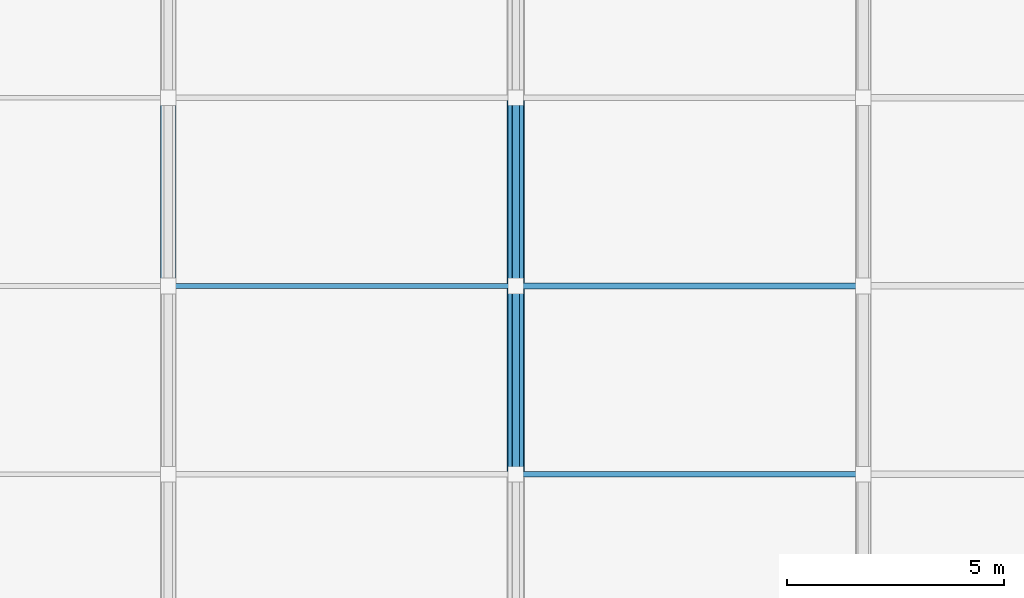
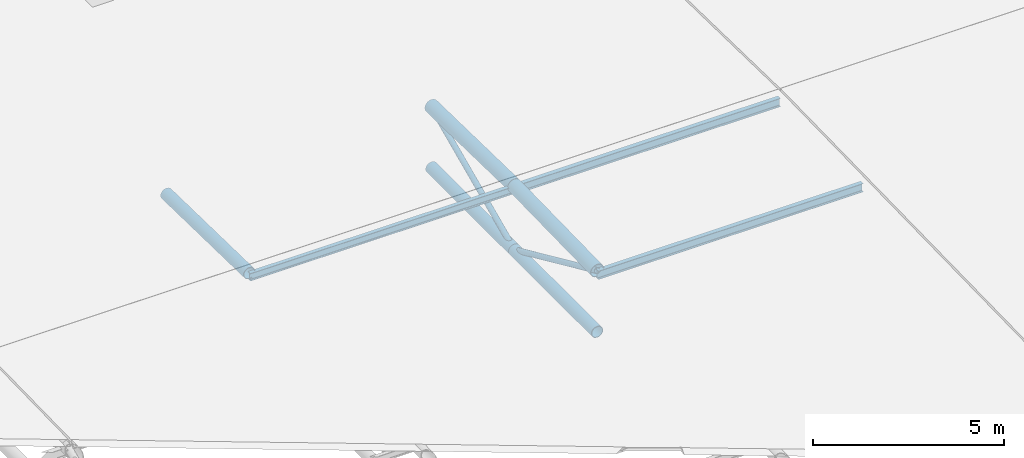
# One storey, part 21 of 75: 10 members.
"""IFC4 building model written with IfcOpenShell, lengths in metres."""

from ifc_helpers import new_model, si_unit, direction, frame, origin, origin_2d, place, context, subcontext, project, spatial, hollow_circle, i_section, extrude, material, material_profile, profile_set, type_object, element, save


model = new_model("IFC4")

# Units and contexts
model_context = context("Model", 3, precision=1e-05, world=origin(), true_north=direction((0.0, 1.0)))
body_context = subcontext(model_context, "Body", "Model", "MODEL_VIEW")
ifc_project = project(units=[si_unit("LENGTHUNIT", "METRE"), si_unit("AREAUNIT", "SQUARE_METRE"), si_unit("VOLUMEUNIT", "CUBIC_METRE"), si_unit("PLANEANGLEUNIT", "RADIAN"), si_unit("MASSUNIT", "GRAM", prefix="KILO")], contexts=[model_context])

# Site, building, storey
site_placement = place(None, origin())
site = spatial("IfcSite", under=ifc_project, at=site_placement, CompositionType="ELEMENT")
building_placement = place(site_placement, origin())
building = spatial("IfcBuilding", under=site, at=building_placement, Name="Khorjan Park Terminus", CompositionType="ELEMENT")
storey_placement = place(building_placement, frame((0.0, 0.0, 16.2)))
storey = spatial("IfcBuildingStorey", under=building, at=storey_placement, Name="L03", CompositionType="ELEMENT", Elevation=16.2)

# Members
ifc_material = material(Name="Steel S355", Category="steel")
ifc_material_profile_1 = material_profile(ifc_material, hollow_circle(Radius=0.0842, WallThickness=0.008, at=origin_2d()), Name="CHS 168.3x8")
ifc_profile_set_1 = profile_set([ifc_material_profile_1], Name="Steel S355")
member_type_1 = type_object("IfcMemberType", Name="MB-BR-168", PredefinedType="BRACE", material=ifc_profile_set_1)
for number, where, z_axis, x_axis, name in (
    (1, (120.0, 123.6667, -0.6417), (0.0, 0.911265986802, -0.411818286745), (-1.0, 0.0, 0.0), "Train shed flat truss web diagonal TB-17 (T15)"),
    (2, (120.0, 128.0, -2.6), (0.0, 0.911265986802, 0.411818286745), (-1.0, 0.0, 0.0), "Train shed flat truss web diagonal TB-17 (T15)"),
):
    element("IfcMember", number, at=place(storey_placement, frame(where, z_axis=z_axis, x_axis=x_axis)), inside=storey, type_object=member_type_1, Name=name, PredefinedType="BRACE", context=body_context, shape_type="SweptSolid", body=[
        extrude(hollow_circle(Radius=0.0842, WallThickness=0.008, at=origin_2d()), origin(), (0.0, 0.0, 1.0), 4.7553),
    ])
ifc_material_profile_2 = material_profile(ifc_material, hollow_circle(Radius=0.1778, WallThickness=0.016, at=origin_2d()), Name="CHS 355.6x16")
ifc_profile_set_2 = profile_set([ifc_material_profile_2], Name="Steel S355")
member_type_2 = type_object("IfcMemberType", Name="MB-CH-356", PredefinedType="CHORD", material=ifc_profile_set_2)
member_1_placement = place(storey_placement, frame((112.0, 128.0, -0.55), z_axis=(0.0, 0.999776166375, -0.021156964544), x_axis=(-1.0, 0.0, 0.0)))
element("IfcMember", 3, at=member_1_placement, inside=storey, type_object=member_type_2, Name="Train shed flat truss top chord TC-36 (T14)", PredefinedType="CHORD", context=body_context, shape_type="SweptSolid", body=[
    extrude(hollow_circle(Radius=0.1778, WallThickness=0.016, at=origin_2d()), origin(), (0.0, 0.0, 1.0), 4.3343),
])
for number, where, z_axis, x_axis, name in (
    (4, (120.0, 123.6667, -2.6), (0.0, 1.0, 0.0), (-1.0, 0.0, 0.0), "Train shed flat truss bottom chord TC-36 (T15)"),
    (5, (120.0, 128.0, -2.6), (0.0, 1.0, 0.0), (-1.0, 0.0, 0.0), "Train shed flat truss bottom chord TC-36 (T15)"),
):
    element("IfcMember", number, at=place(storey_placement, frame(where, z_axis=z_axis, x_axis=x_axis)), inside=storey, type_object=member_type_2, Name=name, PredefinedType="CHORD", context=body_context, shape_type="SweptSolid", body=[
        extrude(hollow_circle(Radius=0.1778, WallThickness=0.016, at=origin_2d()), origin(), (0.0, 0.0, 1.0), 4.3333),
    ])
ifc_material_profile_3 = material_profile(ifc_material, hollow_circle(Radius=0.2032, WallThickness=0.016, at=origin_2d()), Name="CHS 406.4x16")
ifc_profile_set_3 = profile_set([ifc_material_profile_3], Name="Steel S355")
member_type_3 = type_object("IfcMemberType", Name="MB-CH-406", PredefinedType="CHORD", material=ifc_profile_set_3)
for number, where, z_axis, x_axis, name in (
    (6, (120.0, 123.6667, -0.6417), (0.0, 0.999776166375, 0.021156964544), (-1.0, 0.0, 0.0), "Train shed flat truss top chord TC-41 (T15)"),
    (7, (120.0, 128.0, -0.55), (0.0, 0.999776166375, -0.021156964544), (-1.0, 0.0, 0.0), "Train shed flat truss top chord TC-41 (T15)"),
):
    element("IfcMember", number, at=place(storey_placement, frame(where, z_axis=z_axis, x_axis=x_axis)), inside=storey, type_object=member_type_3, Name=name, PredefinedType="CHORD", context=body_context, shape_type="SweptSolid", body=[
        extrude(hollow_circle(Radius=0.2032, WallThickness=0.016, at=origin_2d()), origin(), (0.0, 0.0, 1.0), 4.3343),
    ])
ifc_material_profile_4 = material_profile(ifc_material, i_section(OverallWidth=0.12, OverallDepth=0.24, WebThickness=0.0062, FlangeThickness=0.0098, FilletRadius=0.015, at=origin_2d()), Name="IPE 240")
ifc_profile_set_4 = profile_set([ifc_material_profile_4], Name="Steel S355")
member_type_4 = type_object("IfcMemberType", Name="MB-PR-IPE240", PredefinedType="PURLIN", material=ifc_profile_set_4)
member_2_placement = place(storey_placement, frame((112.0, 128.0, -0.65), z_axis=(1.0, 0.0, 0.0), x_axis=(0.0, 1.0, 0.0)))
element("IfcMember", 8, at=member_2_placement, inside=storey, type_object=member_type_4, Name="Train shed secondary roof purlin PR-24 (Bay 14)", PredefinedType="PURLIN", context=body_context, shape_type="SweptSolid", body=[
    extrude(i_section(OverallWidth=0.12, OverallDepth=0.24, WebThickness=0.0062, FlangeThickness=0.0098, FilletRadius=0.015, at=origin_2d()), origin(), (0.0, 0.0, 1.0), 8.0),
])
ifc_material_profile_5 = material_profile(ifc_material, i_section(OverallWidth=0.135, OverallDepth=0.27, WebThickness=0.0066, FlangeThickness=0.0102, FilletRadius=0.015, at=origin_2d()), Name="IPE 270")
ifc_profile_set_5 = profile_set([ifc_material_profile_5], Name="Steel S355")
member_type_5 = type_object("IfcMemberType", Name="MB-PR-IPE270", PredefinedType="PURLIN", material=ifc_profile_set_5)
for number, where, z_axis, x_axis, name in (
    (9, (120.0, 123.6667, -0.7567), (1.0, 0.0, 0.0), (0.0, 1.0, 0.0), "Train shed secondary roof purlin PR-27 (Bay 15)"),
    (10, (120.0, 128.0, -0.665), (1.0, 0.0, 0.0), (0.0, 1.0, 0.0), "Train shed secondary roof purlin PR-27 (Bay 15)"),
):
    element("IfcMember", number, at=place(storey_placement, frame(where, z_axis=z_axis, x_axis=x_axis)), inside=storey, type_object=member_type_5, Name=name, PredefinedType="PURLIN", context=body_context, shape_type="SweptSolid", body=[
        extrude(i_section(OverallWidth=0.135, OverallDepth=0.27, WebThickness=0.0066, FlangeThickness=0.0102, FilletRadius=0.015, at=origin_2d()), origin(), (0.0, 0.0, 1.0), 8.0),
    ])

save(model, "model.ifc")
